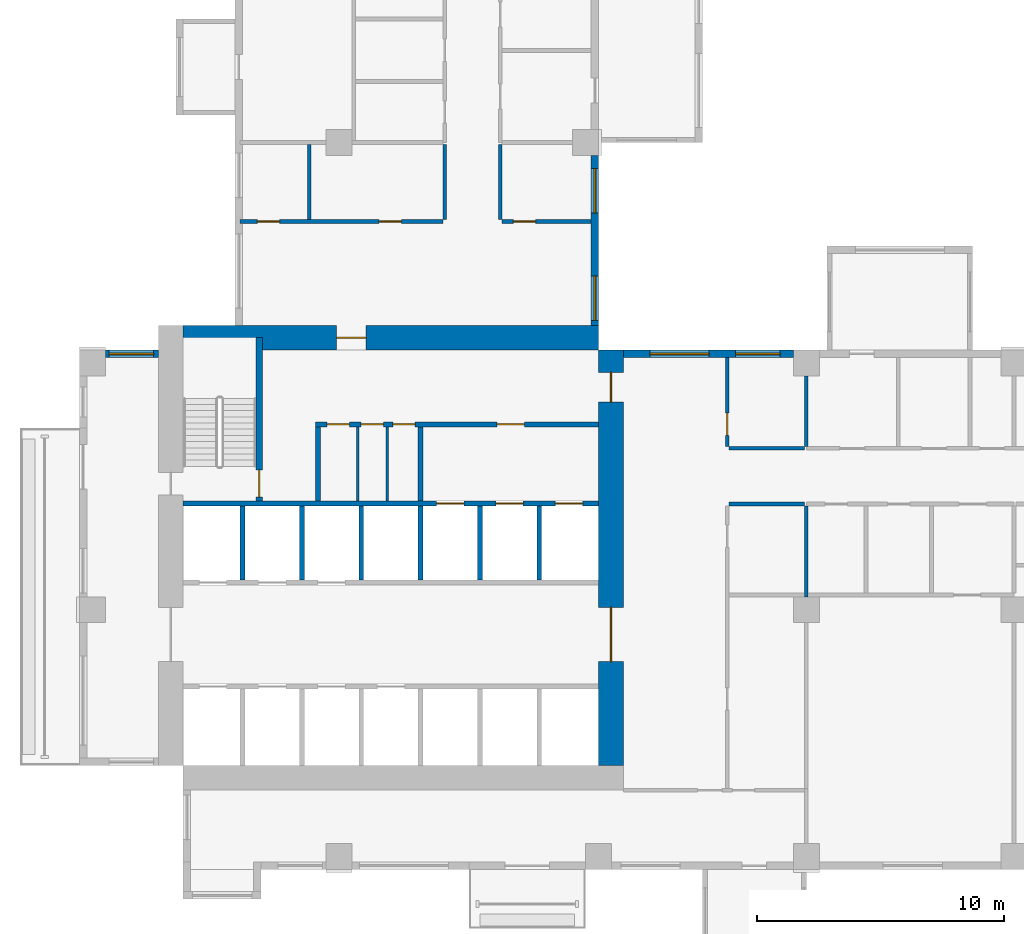
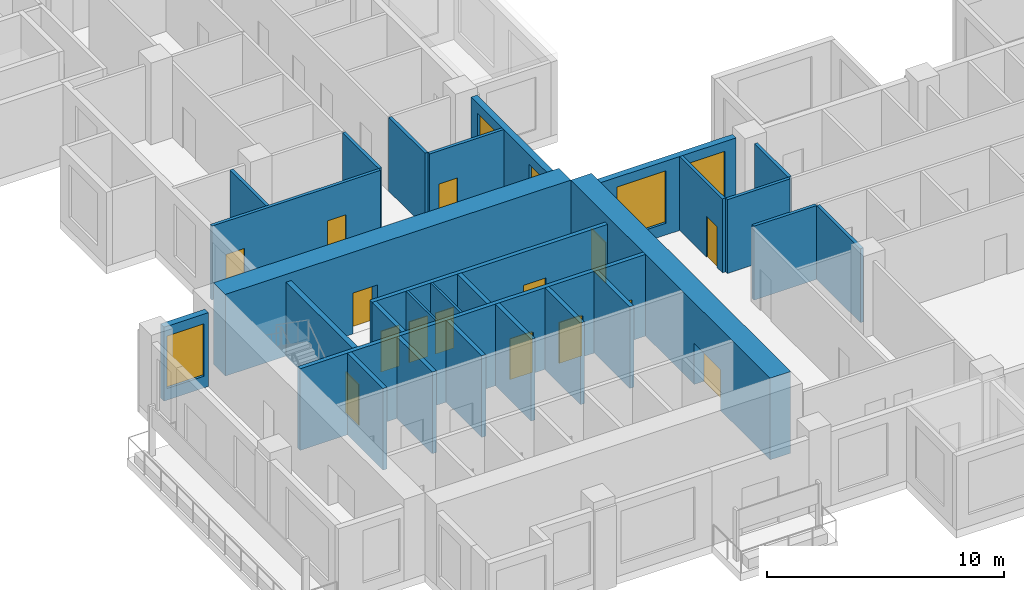
# One storey, part 3 of 15: 28 walls, 15 doors, 5 windows, 20 openings.
"""IFC4 building model written with IfcOpenShell, lengths in metres."""

from ifc_helpers import new_model, si_unit, direction, frame, frame_2d, origin, place, context, subcontext, project, spatial, rectangle, extrude, source, transform, mapped, material, layer, layer_set, type_object, element, fill, save


model = new_model("IFC4")

# Units and contexts
model_context = context("Model", 3, precision=1e-05, world=origin(), true_north=direction((0.0, 1.0)))
body_context = subcontext(model_context, "Body", "Model", "MODEL_VIEW")
ifc_project = project(units=[si_unit("LENGTHUNIT", "METRE"), si_unit("AREAUNIT", "SQUARE_METRE"), si_unit("VOLUMEUNIT", "CUBIC_METRE"), si_unit("PLANEANGLEUNIT", "RADIAN"), si_unit("MASSUNIT", "GRAM", prefix="KILO")], contexts=[model_context])

# Site, building, storey
site_placement = place(None, origin())
site = spatial("IfcSite", under=ifc_project, at=site_placement, CompositionType="ELEMENT")
building_placement = place(site_placement, origin())
building = spatial("IfcBuilding", under=site, at=building_placement, Name="Aurelian Terraces", CompositionType="ELEMENT")
storey_placement = place(building_placement, frame((0.0, 0.0, 137.1)))
storey = spatial("IfcBuildingStorey", under=building, at=storey_placement, Name="L30", CompositionType="ELEMENT", Elevation=137.1)

# Wall, openings, doors
ifc_material_1 = material(Name="Concrete fc' 83 MPa", Category="concrete")
ifc_layer_1 = layer(ifc_material_1, 1.0)
ifc_layer_set_1 = layer_set([ifc_layer_1], Name="CORE WALL 1000 FC83")
wall_type_1 = type_object("IfcWallType", Name="CORE WALL 1000 FC83", PredefinedType="SHEAR", material=ifc_layer_set_1)
shared_shape_1 = source(origin(), body_context, "Body", "SweptSolid", [
    extrude(rectangle(XDim=16.8, YDim=1.0, at=frame_2d((8.4, 0.0))), origin(), (0.0, 0.0, 1.0), 4.2),
])
wall_1_placement = place(storey_placement, frame((21.5, 4.2, 0.0), z_axis=(0.0, 0.0, 1.0), x_axis=(0.0, 1.0, 0.0)))
wall_1 = element("IfcWall", 1, at=wall_1_placement, inside=storey, type_object=wall_type_1, Name="Core wall E L30", PredefinedType="SHEAR", context=body_context, shape_type="MappedRepresentation", body=[
    mapped(shared_shape_1, transform((0.0, 0.0, 0.0), scale=1.0)),
])
shared_shape_2 = source(origin(), body_context, "Body", "SweptSolid", [
    extrude(rectangle(XDim=2.2, YDim=2.1, at=frame_2d((1.1, 1.05))), frame((0.0, 0.51, 0.0), z_axis=(0.0, -1.0, 0.0), x_axis=(1.0, 0.0, 0.0)), (0.0, 0.0, 1.0), 1.02),
])
opening_1_placement = place(wall_1_placement, frame((4.2, 0.0, 0.0)))
opening_1 = element("IfcOpeningElement", 2, at=opening_1_placement, cuts=wall_1, Name="Opening 63321", PredefinedType="OPENING", context=body_context, shape_type="MappedRepresentation", body=[
    mapped(shared_shape_2, transform((0.0, 0.0, 0.0), scale=1.0)),
])
shared_shape_3 = source(origin(), body_context, "Body", "SweptSolid", [
    extrude(rectangle(XDim=1.2, YDim=2.1, at=frame_2d((0.6, 1.05))), frame((0.0, 0.51, 0.0), z_axis=(0.0, -1.0, 0.0), x_axis=(1.0, 0.0, 0.0)), (0.0, 0.0, 1.0), 1.02),
])
opening_2_placement = place(wall_1_placement, frame((14.7, 0.0, 0.0)))
opening_2 = element("IfcOpeningElement", 3, at=opening_2_placement, cuts=wall_1, Name="Opening 63324", PredefinedType="OPENING", context=body_context, shape_type="MappedRepresentation", body=[
    mapped(shared_shape_3, transform((0.0, 0.0, 0.0), scale=1.0)),
])
ifc_material_2 = material(Name="Steel door leaf", Category="steel")
door_type_1 = type_object("IfcDoorType", Name="Core fire door 1200x2100", OperationType="SINGLE_SWING_LEFT", PredefinedType="DOOR", material=ifc_material_2)
shared_shape_4 = source(origin(), body_context, "Body", "SweptSolid", [
    extrude(rectangle(XDim=1.2, YDim=2.1, at=frame_2d((0.6, 1.05))), frame((0.0, 0.025, 0.0), z_axis=(0.0, -1.0, 0.0), x_axis=(1.0, 0.0, 0.0)), (0.0, 0.0, 1.0), 0.05),
])
door_1_placement = place(opening_2_placement, origin())
door_1 = element("IfcDoor", 4, at=door_1_placement, inside=storey, type_object=door_type_1, Name="Core door 63324", OperationType="SINGLE_SWING_LEFT", OverallHeight=2.1, OverallWidth=1.2, PredefinedType="DOOR", context=body_context, shape_type="MappedRepresentation", body=[
    mapped(shared_shape_4, transform((0.0, 0.0, 0.0), scale=1.0)),
])
fill(opening_2, door_1)
door_type_2 = type_object("IfcDoorType", Name="Core double door 2200x2100", OperationType="DOUBLE_DOOR_SINGLE_SWING", PredefinedType="DOOR", material=ifc_material_2)
shared_shape_5 = source(origin(), body_context, "Body", "SweptSolid", [
    extrude(rectangle(XDim=2.2, YDim=2.1, at=frame_2d((1.1, 1.05))), frame((0.0, 0.025, 0.0), z_axis=(0.0, -1.0, 0.0), x_axis=(1.0, 0.0, 0.0)), (0.0, 0.0, 1.0), 0.05),
])
door_2_placement = place(opening_1_placement, origin())
door_2 = element("IfcDoor", 5, at=door_2_placement, inside=storey, type_object=door_type_2, Name="Core door 63321", OperationType="DOUBLE_DOOR_SINGLE_SWING", OverallHeight=2.1, OverallWidth=2.2, PredefinedType="DOOR", context=body_context, shape_type="MappedRepresentation", body=[
    mapped(shared_shape_5, transform((0.0, 0.0, 0.0), scale=1.0)),
])
fill(opening_1, door_2)

# Wall, opening, door
wall_2_placement = place(storey_placement, frame((4.2, 21.5, 0.0), z_axis=(0.0, 0.0, 1.0), x_axis=(1.0, 0.0, 0.0)))
wall_2 = element("IfcWall", 6, at=wall_2_placement, inside=storey, type_object=wall_type_1, Name="Core wall N L30", PredefinedType="SHEAR", context=body_context, shape_type="MappedRepresentation", body=[
    mapped(shared_shape_1, transform((0.0, 0.0, 0.0), scale=1.0)),
])
opening_3_placement = place(wall_2_placement, frame((6.2, 0.0, 0.0)))
opening_3 = element("IfcOpeningElement", 7, at=opening_3_placement, cuts=wall_2, Name="Opening 63323", PredefinedType="OPENING", context=body_context, shape_type="MappedRepresentation", body=[
    mapped(shared_shape_3, transform((0.0, 0.0, 0.0), scale=1.0)),
])
door_type_3 = type_object("IfcDoorType", Name="Core fire door 1200x2100 right", OperationType="SINGLE_SWING_RIGHT", PredefinedType="DOOR", material=ifc_material_2)
door_3_placement = place(opening_3_placement, origin())
door_3 = element("IfcDoor", 8, at=door_3_placement, inside=storey, type_object=door_type_3, Name="Core door 63323", OperationType="SINGLE_SWING_RIGHT", OverallHeight=2.1, OverallWidth=1.2, PredefinedType="DOOR", context=body_context, shape_type="MappedRepresentation", body=[
    mapped(shared_shape_4, transform((0.0, 0.0, 0.0), scale=1.0)),
])
fill(opening_3, door_3)

# Wall, openings, windows
ifc_material_3 = material(Name="Terracotta rainscreen cladding", Category="masonry")
ifc_layer_2 = layer(ifc_material_3, 0.3)
ifc_layer_set_2 = layer_set([ifc_layer_2], Name="EW-300")
wall_type_2 = type_object("IfcWallType", Name="EW-300", PredefinedType="STANDARD", material=ifc_layer_set_2)
shared_shape_6 = source(origin(), body_context, "Body", "SweptSolid", [
    extrude(rectangle(XDim=6.875, YDim=0.3, at=frame_2d((3.4375, 0.0))), origin(), (0.0, 0.0, 1.0), 3.8),
])
wall_3_placement = place(storey_placement, frame((28.875, 20.85, 0.0), z_axis=(0.0, 0.0, 1.0), x_axis=(-1.0, 0.0, 0.0)))
wall_3 = element("IfcWall", 9, at=wall_3_placement, inside=storey, type_object=wall_type_2, Name="External wall L30 F07.20", PredefinedType="STANDARD", context=body_context, shape_type="MappedRepresentation", body=[
    mapped(shared_shape_6, transform((0.0, 0.0, 0.0), scale=1.0)),
])
shared_shape_7 = source(origin(), body_context, "Body", "SweptSolid", [
    extrude(rectangle(XDim=1.8, YDim=2.7, at=frame_2d((0.9, 1.35))), frame((0.0, 0.16, 0.0), z_axis=(0.0, -1.0, 0.0), x_axis=(1.0, 0.0, 0.0)), (0.0, 0.0, 1.0), 0.32),
])
opening_4_placement = place(wall_3_placement, frame((0.5375, 0.0, 0.6)))
opening_4 = element("IfcOpeningElement", 10, at=opening_4_placement, cuts=wall_3, Name="Opening W1827", PredefinedType="OPENING", context=body_context, shape_type="MappedRepresentation", body=[
    mapped(shared_shape_7, transform((0.0, 0.0, 0.0), scale=1.0)),
])
shared_shape_8 = source(origin(), body_context, "Body", "SweptSolid", [
    extrude(rectangle(XDim=2.4, YDim=2.7, at=frame_2d((1.2, 1.35))), frame((0.0, 0.16, 0.0), z_axis=(0.0, -1.0, 0.0), x_axis=(1.0, 0.0, 0.0)), (0.0, 0.0, 1.0), 0.32),
])
opening_5_placement = place(wall_3_placement, frame((3.4062, 0.0, 0.6)))
opening_5 = element("IfcOpeningElement", 11, at=opening_5_placement, cuts=wall_3, Name="Opening W2427", PredefinedType="OPENING", context=body_context, shape_type="MappedRepresentation", body=[
    mapped(shared_shape_8, transform((0.0, 0.0, 0.0), scale=1.0)),
])
ifc_material_4 = material(Name="Clear glazing", Category="glass")
window_type_1 = type_object("IfcWindowType", Name="W-2400x2700", PartitioningType="SINGLE_PANEL", PredefinedType="WINDOW", material=ifc_material_4)
shared_shape_9 = source(origin(), body_context, "Body", "SweptSolid", [
    extrude(rectangle(XDim=2.4, YDim=2.7, at=frame_2d((1.2, 1.35))), frame((0.0, 0.03, 0.0), z_axis=(0.0, -1.0, 0.0), x_axis=(1.0, 0.0, 0.0)), (0.0, 0.0, 1.0), 0.06),
])
window_1_placement = place(opening_5_placement, origin())
window_1 = element("IfcWindow", 12, at=window_1_placement, inside=storey, type_object=window_type_1, Name="Window L30 L30-F07-20-G2-197", OverallHeight=2.7, OverallWidth=2.4, PartitioningType="SINGLE_PANEL", PredefinedType="WINDOW", context=body_context, shape_type="MappedRepresentation", body=[
    mapped(shared_shape_9, transform((0.0, 0.0, 0.0), scale=1.0)),
])
fill(opening_5, window_1)
window_type_2 = type_object("IfcWindowType", Name="W-1800x2700", PartitioningType="SINGLE_PANEL", PredefinedType="WINDOW", material=ifc_material_4)
shared_shape_10 = source(origin(), body_context, "Body", "SweptSolid", [
    extrude(rectangle(XDim=1.8, YDim=2.7, at=frame_2d((0.9, 1.35))), frame((0.0, 0.03, 0.0), z_axis=(0.0, -1.0, 0.0), x_axis=(1.0, 0.0, 0.0)), (0.0, 0.0, 1.0), 0.06),
])
window_2_placement = place(opening_4_placement, origin())
window_2 = element("IfcWindow", 13, at=window_2_placement, inside=storey, type_object=window_type_2, Name="Window L30 L30-F07-20-3", OverallHeight=2.7, OverallWidth=1.8, PartitioningType="SINGLE_PANEL", PredefinedType="WINDOW", context=body_context, shape_type="MappedRepresentation", body=[
    mapped(shared_shape_10, transform((0.0, 0.0, 0.0), scale=1.0)),
])
fill(opening_4, window_2)

wall_4_placement = place(storey_placement, frame((20.85, 22.0, 0.0), z_axis=(0.0, 0.0, 1.0), x_axis=(0.0, 1.0, 0.0)))
wall_4 = element("IfcWall", 14, at=wall_4_placement, inside=storey, type_object=wall_type_2, Name="External wall L30 F08.21", PredefinedType="STANDARD", context=body_context, shape_type="MappedRepresentation", body=[
    mapped(shared_shape_6, transform((0.0, 0.0, 0.0), scale=1.0)),
])
opening_6_placement = place(wall_4_placement, frame((0.2, 0.0, 0.6)))
opening_6 = element("IfcOpeningElement", 15, at=opening_6_placement, cuts=wall_4, Name="Opening W1827", PredefinedType="OPENING", context=body_context, shape_type="MappedRepresentation", body=[
    mapped(shared_shape_7, transform((0.0, 0.0, 0.0), scale=1.0)),
])
opening_7_placement = place(wall_4_placement, frame((4.5375, 0.0, 0.6)))
opening_7 = element("IfcOpeningElement", 16, at=opening_7_placement, cuts=wall_4, Name="Opening W1827", PredefinedType="OPENING", context=body_context, shape_type="MappedRepresentation", body=[
    mapped(shared_shape_7, transform((0.0, 0.0, 0.0), scale=1.0)),
])
window_3_placement = place(opening_6_placement, origin())
window_3 = element("IfcWindow", 17, at=window_3_placement, inside=storey, type_object=window_type_2, Name="Window L30 L30-F08-21-0", OverallHeight=2.7, OverallWidth=1.8, PartitioningType="SINGLE_PANEL", PredefinedType="WINDOW", context=body_context, shape_type="MappedRepresentation", body=[
    mapped(shared_shape_10, transform((0.0, 0.0, 0.0), scale=1.0)),
])
fill(opening_6, window_3)
window_4_placement = place(opening_7_placement, origin())
window_4 = element("IfcWindow", 18, at=window_4_placement, inside=storey, type_object=window_type_2, Name="Window L30 L30-F08-21-1", OverallHeight=2.7, OverallWidth=1.8, PartitioningType="SINGLE_PANEL", PredefinedType="WINDOW", context=body_context, shape_type="MappedRepresentation", body=[
    mapped(shared_shape_10, transform((0.0, 0.0, 0.0), scale=1.0)),
])
fill(opening_7, window_4)

# Wall, opening, window
shared_shape_11 = source(origin(), body_context, "Body", "SweptSolid", [
    extrude(rectangle(XDim=2.15, YDim=0.3, at=frame_2d((1.075, 0.0))), origin(), (0.0, 0.0, 1.0), 3.8),
])
wall_5_placement = place(storey_placement, frame((3.2, 20.85, 0.0), z_axis=(0.0, 0.0, 1.0), x_axis=(-1.0, 0.0, 0.0)))
wall_5 = element("IfcWall", 19, at=wall_5_placement, inside=storey, type_object=wall_type_2, Name="External wall L30 F19.36", PredefinedType="STANDARD", context=body_context, shape_type="MappedRepresentation", body=[
    mapped(shared_shape_11, transform((0.0, 0.0, 0.0), scale=1.0)),
])
opening_8_placement = place(wall_5_placement, frame((0.2, 0.0, 0.6)))
opening_8 = element("IfcOpeningElement", 20, at=opening_8_placement, cuts=wall_5, Name="Opening W1827", PredefinedType="OPENING", context=body_context, shape_type="MappedRepresentation", body=[
    mapped(shared_shape_7, transform((0.0, 0.0, 0.0), scale=1.0)),
])
window_5_placement = place(opening_8_placement, origin())
window_5 = element("IfcWindow", 21, at=window_5_placement, inside=storey, type_object=window_type_2, Name="Window L30 L30-F19-36-0", OverallHeight=2.7, OverallWidth=1.8, PartitioningType="SINGLE_PANEL", PredefinedType="WINDOW", context=body_context, shape_type="MappedRepresentation", body=[
    mapped(shared_shape_10, transform((0.0, 0.0, 0.0), scale=1.0)),
])
fill(opening_8, window_5)

# Walls
ifc_material_5 = material(Name="Concrete fc' 40 MPa", Category="concrete")
ifc_layer_3 = layer(ifc_material_5, 0.2)
ifc_layer_set_3 = layer_set([ifc_layer_3], Name="Lift shaft wall 200")
wall_type_3 = type_object("IfcWallType", Name="Lift shaft wall 200", PredefinedType="SOLIDWALL", material=ifc_layer_set_3)
shared_shape_12 = source(origin(), body_context, "Body", "SweptSolid", [
    extrude(rectangle(XDim=3.0, YDim=0.2, at=frame_2d((1.5, 0.0))), origin(), (0.0, 0.0, 1.0), 4.2),
])
for number, where, z_axis, x_axis, name in (
    (22, (6.6, 11.7, 0.0), (0.0, 0.0, 1.0), (0.0, 1.0, 0.0), "L30 core wall CD-B1"),
    (23, (9.0, 11.7, 0.0), (0.0, 0.0, 1.0), (0.0, 1.0, 0.0), "L30 core wall CD-B2"),
    (24, (11.4, 11.7, 0.0), (0.0, 0.0, 1.0), (0.0, 1.0, 0.0), "L30 core wall CD-B3"),
    (25, (13.8, 11.7, 0.0), (0.0, 0.0, 1.0), (0.0, 1.0, 0.0), "L30 core wall CD-B4"),
    (26, (16.2, 11.7, 0.0), (0.0, 0.0, 1.0), (0.0, 1.0, 0.0), "L30 core wall CD-B5"),
    (27, (18.6, 11.7, 0.0), (0.0, 0.0, 1.0), (0.0, 1.0, 0.0), "L30 core wall CD-B6"),
):
    element("IfcWall", number, at=place(storey_placement, frame(where, z_axis=z_axis, x_axis=x_axis)), inside=storey, type_object=wall_type_3, Name=name, PredefinedType="SOLIDWALL", context=body_context, shape_type="MappedRepresentation", body=[
        mapped(shared_shape_12, transform((0.0, 0.0, 0.0), scale=1.0)),
    ])

# Wall, openings, doors
shared_shape_13 = source(origin(), body_context, "Body", "SweptSolid", [
    extrude(rectangle(XDim=16.8, YDim=0.2, at=frame_2d((8.4, 0.0))), origin(), (0.0, 0.0, 1.0), 4.2),
])
wall_6_placement = place(storey_placement, frame((4.2, 14.8, 0.0), z_axis=(0.0, 0.0, 1.0), x_axis=(1.0, 0.0, 0.0)))
wall_6 = element("IfcWall", 28, at=wall_6_placement, inside=storey, type_object=wall_type_3, Name="L30 core wall CF-BB1", PredefinedType="SOLIDWALL", context=body_context, shape_type="MappedRepresentation", body=[
    mapped(shared_shape_13, transform((0.0, 0.0, 0.0), scale=1.0)),
])
shared_shape_14 = source(origin(), body_context, "Body", "SweptSolid", [
    extrude(rectangle(XDim=1.1, YDim=2.1, at=frame_2d((0.55, 1.05))), frame((0.0, 0.11, 0.0), z_axis=(0.0, -1.0, 0.0), x_axis=(1.0, 0.0, 0.0)), (0.0, 0.0, 1.0), 0.22),
])
opening_9_placement = place(wall_6_placement, frame((10.25, 0.0, 0.0)))
opening_9 = element("IfcOpeningElement", 29, at=opening_9_placement, cuts=wall_6, Name="Opening 63307", PredefinedType="OPENING", context=body_context, shape_type="MappedRepresentation", body=[
    mapped(shared_shape_14, transform((0.0, 0.0, 0.0), scale=1.0)),
])
opening_10_placement = place(wall_6_placement, frame((12.65, 0.0, 0.0)))
opening_10 = element("IfcOpeningElement", 30, at=opening_10_placement, cuts=wall_6, Name="Opening 63308", PredefinedType="OPENING", context=body_context, shape_type="MappedRepresentation", body=[
    mapped(shared_shape_14, transform((0.0, 0.0, 0.0), scale=1.0)),
])
opening_11_placement = place(wall_6_placement, frame((15.05, 0.0, 0.0)))
opening_11 = element("IfcOpeningElement", 31, at=opening_11_placement, cuts=wall_6, Name="Opening 63309", PredefinedType="OPENING", context=body_context, shape_type="MappedRepresentation", body=[
    mapped(shared_shape_14, transform((0.0, 0.0, 0.0), scale=1.0)),
])
ifc_material_6 = material(Name="Stainless steel", Category="steel")
door_type_4 = type_object("IfcDoorType", Name="Lift landing door 1100x2100", OperationType="SLIDING_TO_LEFT", PredefinedType="DOOR", material=ifc_material_6)
shared_shape_15 = source(origin(), body_context, "Body", "SweptSolid", [
    extrude(rectangle(XDim=1.1, YDim=2.1, at=frame_2d((0.55, 1.05))), frame((0.0, 0.025, 0.0), z_axis=(0.0, -1.0, 0.0), x_axis=(1.0, 0.0, 0.0)), (0.0, 0.0, 1.0), 0.05),
])
door_4_placement = place(opening_9_placement, origin())
door_4 = element("IfcDoor", 32, at=door_4_placement, inside=storey, type_object=door_type_4, Name="Lift landing door F1 L30", OperationType="SLIDING_TO_LEFT", OverallHeight=2.1, OverallWidth=1.1, PredefinedType="DOOR", context=body_context, shape_type="MappedRepresentation", body=[
    mapped(shared_shape_15, transform((0.0, 0.0, 0.0), scale=1.0)),
])
fill(opening_9, door_4)
door_5_placement = place(opening_10_placement, origin())
door_5 = element("IfcDoor", 33, at=door_5_placement, inside=storey, type_object=door_type_4, Name="Lift landing door F2 L30", OperationType="SLIDING_TO_LEFT", OverallHeight=2.1, OverallWidth=1.1, PredefinedType="DOOR", context=body_context, shape_type="MappedRepresentation", body=[
    mapped(shared_shape_15, transform((0.0, 0.0, 0.0), scale=1.0)),
])
fill(opening_10, door_5)
door_6_placement = place(opening_11_placement, origin())
door_6 = element("IfcDoor", 34, at=door_6_placement, inside=storey, type_object=door_type_4, Name="Lift landing door F3 L30", OperationType="SLIDING_TO_LEFT", OverallHeight=2.1, OverallWidth=1.1, PredefinedType="DOOR", context=body_context, shape_type="MappedRepresentation", body=[
    mapped(shared_shape_15, transform((0.0, 0.0, 0.0), scale=1.0)),
])
fill(opening_11, door_6)

# Walls
ifc_material_7 = material(Name="Gypsum board on steel studs", Category="steel")
ifc_layer_4 = layer(ifc_material_7, 0.2)
ifc_layer_set_4 = layer_set([ifc_layer_4], Name="Core partition 200")
wall_type_4 = type_object("IfcWallType", Name="Core partition 200", PredefinedType="PARTITIONING", material=ifc_layer_set_4)
shared_shape_16 = source(origin(), body_context, "Body", "SweptSolid", [
    extrude(rectangle(XDim=3.0, YDim=0.2, at=frame_2d((1.5, 0.0))), origin(), (0.0, 0.0, 1.0), 3.8),
])
for number, where, z_axis, x_axis, name in (
    (35, (9.65, 14.9, 0.0), (0.0, 0.0, 1.0), (0.0, 1.0, 0.0), "L30 core wall CP-VEST"),
    (36, (13.8, 14.9, 0.0), (0.0, 0.0, 1.0), (0.0, 1.0, 0.0), "L30 core wall CP-FFL"),
):
    element("IfcWall", number, at=place(storey_placement, frame(where, z_axis=z_axis, x_axis=x_axis)), inside=storey, type_object=wall_type_4, Name=name, PredefinedType="PARTITIONING", context=body_context, shape_type="MappedRepresentation", body=[
        mapped(shared_shape_16, transform((0.0, 0.0, 0.0), scale=1.0)),
    ])
ifc_layer_5 = layer(ifc_material_7, 0.1)
ifc_layer_set_5 = layer_set([ifc_layer_5], Name="Core partition 100")
wall_type_5 = type_object("IfcWallType", Name="Core partition 100", PredefinedType="PARTITIONING", material=ifc_layer_set_5)
shared_shape_17 = source(origin(), body_context, "Body", "SweptSolid", [
    extrude(rectangle(XDim=3.0, YDim=0.1, at=frame_2d((1.5, 0.0))), origin(), (0.0, 0.0, 1.0), 3.8),
])
for number, where, z_axis, x_axis, name in (
    (37, (11.25, 14.9, 0.0), (0.0, 0.0, 1.0), (0.0, 1.0, 0.0), "L30 core wall CP-SV1"),
    (38, (12.45, 14.9, 0.0), (0.0, 0.0, 1.0), (0.0, 1.0, 0.0), "L30 core wall CP-SV2"),
):
    element("IfcWall", number, at=place(storey_placement, frame(where, z_axis=z_axis, x_axis=x_axis)), inside=storey, type_object=wall_type_5, Name=name, PredefinedType="PARTITIONING", context=body_context, shape_type="MappedRepresentation", body=[
        mapped(shared_shape_17, transform((0.0, 0.0, 0.0), scale=1.0)),
    ])

# Wall, opening, door
ifc_layer_6 = layer(ifc_material_5, 0.25)
ifc_layer_set_6 = layer_set([ifc_layer_6], Name="Stair enclosure wall 250")
wall_type_6 = type_object("IfcWallType", Name="Stair enclosure wall 250", PredefinedType="SOLIDWALL", material=ifc_layer_set_6)
shared_shape_18 = source(origin(), body_context, "Body", "SweptSolid", [
    extrude(rectangle(XDim=6.6, YDim=0.25, at=frame_2d((3.3, 0.0))), origin(), (0.0, 0.0, 1.0), 3.8),
])
wall_7_placement = place(storey_placement, frame((7.275, 14.9, 0.0), z_axis=(0.0, 0.0, 1.0), x_axis=(0.0, 1.0, 0.0)))
wall_7 = element("IfcWall", 39, at=wall_7_placement, inside=storey, type_object=wall_type_6, Name="L30 core wall ST-S1-E", PredefinedType="SOLIDWALL", context=body_context, shape_type="MappedRepresentation", body=[
    mapped(shared_shape_18, transform((0.0, 0.0, 0.0), scale=1.0)),
])
shared_shape_19 = source(origin(), body_context, "Body", "SweptSolid", [
    extrude(rectangle(XDim=1.1, YDim=2.1, at=frame_2d((0.55, 1.05))), frame((0.0, 0.135, 0.0), z_axis=(0.0, -1.0, 0.0), x_axis=(1.0, 0.0, 0.0)), (0.0, 0.0, 1.0), 0.27),
])
opening_12_placement = place(wall_7_placement, frame((0.15, 0.0, 0.0)))
opening_12 = element("IfcOpeningElement", 40, at=opening_12_placement, cuts=wall_7, Name="Opening 63310", PredefinedType="OPENING", context=body_context, shape_type="MappedRepresentation", body=[
    mapped(shared_shape_19, transform((0.0, 0.0, 0.0), scale=1.0)),
])
door_type_5 = type_object("IfcDoorType", Name="Core fire door 1100x2100 right", OperationType="SINGLE_SWING_RIGHT", PredefinedType="DOOR", material=ifc_material_2)
door_7_placement = place(opening_12_placement, origin())
door_7 = element("IfcDoor", 41, at=door_7_placement, inside=storey, type_object=door_type_5, Name="Stair door 63310", OperationType="SINGLE_SWING_RIGHT", OverallHeight=2.1, OverallWidth=1.1, PredefinedType="DOOR", context=body_context, shape_type="MappedRepresentation", body=[
    mapped(shared_shape_15, transform((0.0, 0.0, 0.0), scale=1.0)),
])
fill(opening_12, door_7)

# Wall, openings, doors
shared_shape_20 = source(origin(), body_context, "Body", "SweptSolid", [
    extrude(rectangle(XDim=11.45, YDim=0.2, at=frame_2d((5.725, 0.0))), origin(), (0.0, 0.0, 1.0), 3.8),
])
wall_8_placement = place(storey_placement, frame((9.55, 18.0, 0.0), z_axis=(0.0, 0.0, 1.0), x_axis=(1.0, 0.0, 0.0)))
wall_8 = element("IfcWall", 42, at=wall_8_placement, inside=storey, type_object=wall_type_4, Name="L30 core wall CP-NORTH", PredefinedType="PARTITIONING", context=body_context, shape_type="MappedRepresentation", body=[
    mapped(shared_shape_20, transform((0.0, 0.0, 0.0), scale=1.0)),
])
shared_shape_21 = source(origin(), body_context, "Body", "SweptSolid", [
    extrude(rectangle(XDim=0.9, YDim=2.1, at=frame_2d((0.45, 1.05))), frame((0.0, 0.11, 0.0), z_axis=(0.0, -1.0, 0.0), x_axis=(1.0, 0.0, 0.0)), (0.0, 0.0, 1.0), 0.22),
])
opening_13_placement = place(wall_8_placement, frame((0.475, 0.0, 0.0)))
opening_13 = element("IfcOpeningElement", 43, at=opening_13_placement, cuts=wall_8, Name="Opening 63311", PredefinedType="OPENING", context=body_context, shape_type="MappedRepresentation", body=[
    mapped(shared_shape_21, transform((0.0, 0.0, 0.0), scale=1.0)),
])
opening_14_placement = place(wall_8_placement, frame((1.85, 0.0, 0.0)))
opening_14 = element("IfcOpeningElement", 44, at=opening_14_placement, cuts=wall_8, Name="Opening 63312", PredefinedType="OPENING", context=body_context, shape_type="MappedRepresentation", body=[
    mapped(shared_shape_21, transform((0.0, 0.0, 0.0), scale=1.0)),
])
opening_15_placement = place(wall_8_placement, frame((3.125, 0.0, 0.0)))
opening_15 = element("IfcOpeningElement", 45, at=opening_15_placement, cuts=wall_8, Name="Opening 63313", PredefinedType="OPENING", context=body_context, shape_type="MappedRepresentation", body=[
    mapped(shared_shape_21, transform((0.0, 0.0, 0.0), scale=1.0)),
])
opening_16_placement = place(wall_8_placement, frame((7.35, 0.0, 0.0)))
opening_16 = element("IfcOpeningElement", 46, at=opening_16_placement, cuts=wall_8, Name="Opening 63314", PredefinedType="OPENING", context=body_context, shape_type="MappedRepresentation", body=[
    mapped(shared_shape_14, transform((0.0, 0.0, 0.0), scale=1.0)),
])
door_type_6 = type_object("IfcDoorType", Name="Core service door 900x2100", OperationType="SINGLE_SWING_LEFT", PredefinedType="DOOR", material=ifc_material_2)
shared_shape_22 = source(origin(), body_context, "Body", "SweptSolid", [
    extrude(rectangle(XDim=0.9, YDim=2.1, at=frame_2d((0.45, 1.05))), frame((0.0, 0.025, 0.0), z_axis=(0.0, -1.0, 0.0), x_axis=(1.0, 0.0, 0.0)), (0.0, 0.0, 1.0), 0.05),
])
door_8_placement = place(opening_13_placement, origin())
door_8 = element("IfcDoor", 47, at=door_8_placement, inside=storey, type_object=door_type_6, Name="Room door 63311", OperationType="SINGLE_SWING_LEFT", OverallHeight=2.1, OverallWidth=0.9, PredefinedType="DOOR", context=body_context, shape_type="MappedRepresentation", body=[
    mapped(shared_shape_22, transform((0.0, 0.0, 0.0), scale=1.0)),
])
fill(opening_13, door_8)
door_type_7 = type_object("IfcDoorType", Name="Core riser door 900x2100 right", OperationType="SINGLE_SWING_RIGHT", PredefinedType="DOOR", material=ifc_material_2)
door_9_placement = place(opening_14_placement, origin())
door_9 = element("IfcDoor", 48, at=door_9_placement, inside=storey, type_object=door_type_7, Name="Room door 63312", OperationType="SINGLE_SWING_RIGHT", OverallHeight=2.1, OverallWidth=0.9, PredefinedType="DOOR", context=body_context, shape_type="MappedRepresentation", body=[
    mapped(shared_shape_22, transform((0.0, 0.0, 0.0), scale=1.0)),
])
fill(opening_14, door_9)
door_10_placement = place(opening_15_placement, origin())
door_10 = element("IfcDoor", 49, at=door_10_placement, inside=storey, type_object=door_type_6, Name="Room door 63313", OperationType="SINGLE_SWING_LEFT", OverallHeight=2.1, OverallWidth=0.9, PredefinedType="DOOR", context=body_context, shape_type="MappedRepresentation", body=[
    mapped(shared_shape_22, transform((0.0, 0.0, 0.0), scale=1.0)),
])
fill(opening_15, door_10)
door_11_placement = place(opening_16_placement, origin())
door_11 = element("IfcDoor", 50, at=door_11_placement, inside=storey, type_object=door_type_5, Name="Ff lobby door 63314", OperationType="SINGLE_SWING_RIGHT", OverallHeight=2.1, OverallWidth=1.1, PredefinedType="DOOR", context=body_context, shape_type="MappedRepresentation", body=[
    mapped(shared_shape_15, transform((0.0, 0.0, 0.0), scale=1.0)),
])
fill(opening_16, door_11)

# Wall, opening, door
ifc_layer_7 = layer(ifc_material_7, 0.15)
ifc_layer_set_7 = layer_set([ifc_layer_7], Name="Partition 150")
wall_type_7 = type_object("IfcWallType", Name="Partition 150", PredefinedType="PARTITIONING", material=ifc_layer_set_7)
shared_shape_23 = source(origin(), body_context, "Body", "SweptSolid", [
    extrude(rectangle(XDim=3.6, YDim=0.15, at=frame_2d((1.8, 0.0))), origin(), (0.0, 0.0, 1.0), 3.8),
])
wall_9_placement = place(storey_placement, frame((26.2, 20.7, 0.0), z_axis=(0.0, 0.0, 1.0), x_axis=(0.0, -1.0, 0.0)))
wall_9 = element("IfcWall", 51, at=wall_9_placement, inside=storey, type_object=wall_type_7, Name="Partition", PredefinedType="PARTITIONING", context=body_context, shape_type="MappedRepresentation", body=[
    mapped(shared_shape_23, transform((0.0, 0.0, 0.0), scale=1.0)),
])
shared_shape_24 = source(origin(), body_context, "Body", "SweptSolid", [
    extrude(rectangle(XDim=0.9, YDim=2.1, at=frame_2d((0.45, 1.05))), frame((0.0, 0.085, 0.0), z_axis=(0.0, -1.0, 0.0), x_axis=(1.0, 0.0, 0.0)), (0.0, 0.0, 1.0), 0.17),
])
opening_17_placement = place(wall_9_placement, frame((2.25, 0.0, 0.0)))
opening_17 = element("IfcOpeningElement", 52, at=opening_17_placement, cuts=wall_9, Name="Opening 730003", PredefinedType="OPENING", context=body_context, shape_type="MappedRepresentation", body=[
    mapped(shared_shape_24, transform((0.0, 0.0, 0.0), scale=1.0)),
])
ifc_material_8 = material(Name="Timber door leaf", Category="wood")
door_type_8 = type_object("IfcDoorType", Name="Room door 900x2100 left", OperationType="SINGLE_SWING_LEFT", PredefinedType="DOOR", material=ifc_material_8)
door_12_placement = place(opening_17_placement, origin())
door_12 = element("IfcDoor", 53, at=door_12_placement, inside=storey, type_object=door_type_8, Name="Door 730003", OperationType="SINGLE_SWING_LEFT", OverallHeight=2.1, OverallWidth=0.9, PredefinedType="DOOR", context=body_context, shape_type="MappedRepresentation", body=[
    mapped(shared_shape_22, transform((0.0, 0.0, 0.0), scale=1.0)),
])
fill(opening_17, door_12)

wall_10_placement = place(storey_placement, frame((17.1, 26.2, 0.0), z_axis=(0.0, 0.0, 1.0), x_axis=(1.0, 0.0, 0.0)))
wall_10 = element("IfcWall", 54, at=wall_10_placement, inside=storey, type_object=wall_type_7, Name="Partition", PredefinedType="PARTITIONING", context=body_context, shape_type="MappedRepresentation", body=[
    mapped(shared_shape_23, transform((0.0, 0.0, 0.0), scale=1.0)),
])
opening_18_placement = place(wall_10_placement, frame((0.45, 0.0, 0.0)))
opening_18 = element("IfcOpeningElement", 55, at=opening_18_placement, cuts=wall_10, Name="Opening 730034", PredefinedType="OPENING", context=body_context, shape_type="MappedRepresentation", body=[
    mapped(shared_shape_24, transform((0.0, 0.0, 0.0), scale=1.0)),
])
door_13_placement = place(opening_18_placement, origin())
door_13 = element("IfcDoor", 56, at=door_13_placement, inside=storey, type_object=door_type_8, Name="Door 730034", OperationType="SINGLE_SWING_LEFT", OverallHeight=2.1, OverallWidth=0.9, PredefinedType="DOOR", context=body_context, shape_type="MappedRepresentation", body=[
    mapped(shared_shape_22, transform((0.0, 0.0, 0.0), scale=1.0)),
])
fill(opening_18, door_13)

# Walls
shared_shape_25 = source(origin(), body_context, "Body", "SweptSolid", [
    extrude(rectangle(XDim=2.851, YDim=0.15, at=frame_2d((1.4255, 0.0))), origin(), (0.0, 0.0, 1.0), 3.8),
])
wall_11_placement = place(storey_placement, frame((29.4, 17.1, 0.0), z_axis=(0.0, 0.0, 1.0), x_axis=(0.0, 1.0, 0.0)))
element("IfcWall", 57, at=wall_11_placement, inside=storey, type_object=wall_type_7, Name="Partition", PredefinedType="PARTITIONING", context=body_context, shape_type="MappedRepresentation", body=[
    mapped(shared_shape_25, transform((0.0, 0.0, 0.0), scale=1.0)),
])
shared_shape_26 = source(origin(), body_context, "Body", "SweptSolid", [
    extrude(rectangle(XDim=3.676, YDim=0.15, at=frame_2d((1.838, 0.0))), origin(), (0.0, 0.0, 1.0), 3.8),
])
wall_12_placement = place(storey_placement, frame((29.4, 11.024, 0.0), z_axis=(0.0, 0.0, 1.0), x_axis=(0.0, 1.0, 0.0)))
element("IfcWall", 58, at=wall_12_placement, inside=storey, type_object=wall_type_7, Name="Partition", PredefinedType="PARTITIONING", context=body_context, shape_type="MappedRepresentation", body=[
    mapped(shared_shape_26, transform((0.0, 0.0, 0.0), scale=1.0)),
])

# Wall, openings, doors
shared_shape_27 = source(origin(), body_context, "Body", "SweptSolid", [
    extrude(rectangle(XDim=8.195, YDim=0.15, at=frame_2d((4.0975, 0.0))), origin(), (0.0, 0.0, 1.0), 3.8),
])
wall_13_placement = place(storey_placement, frame((6.505, 26.2, 0.0), z_axis=(0.0, 0.0, 1.0), x_axis=(1.0, 0.0, 0.0)))
wall_13 = element("IfcWall", 59, at=wall_13_placement, inside=storey, type_object=wall_type_7, Name="Partition", PredefinedType="PARTITIONING", context=body_context, shape_type="MappedRepresentation", body=[
    mapped(shared_shape_27, transform((0.0, 0.0, 0.0), scale=1.0)),
])
opening_19_placement = place(wall_13_placement, frame((0.695, 0.0, 0.0)))
opening_19 = element("IfcOpeningElement", 60, at=opening_19_placement, cuts=wall_13, Name="Opening 730032", PredefinedType="OPENING", context=body_context, shape_type="MappedRepresentation", body=[
    mapped(shared_shape_24, transform((0.0, 0.0, 0.0), scale=1.0)),
])
opening_20_placement = place(wall_13_placement, frame((5.62, 0.0, 0.0)))
opening_20 = element("IfcOpeningElement", 61, at=opening_20_placement, cuts=wall_13, Name="Opening 730033", PredefinedType="OPENING", context=body_context, shape_type="MappedRepresentation", body=[
    mapped(shared_shape_24, transform((0.0, 0.0, 0.0), scale=1.0)),
])
door_14_placement = place(opening_19_placement, origin())
door_14 = element("IfcDoor", 62, at=door_14_placement, inside=storey, type_object=door_type_8, Name="Door 730032", OperationType="SINGLE_SWING_LEFT", OverallHeight=2.1, OverallWidth=0.9, PredefinedType="DOOR", context=body_context, shape_type="MappedRepresentation", body=[
    mapped(shared_shape_22, transform((0.0, 0.0, 0.0), scale=1.0)),
])
fill(opening_19, door_14)
door_type_9 = type_object("IfcDoorType", Name="Room door 900x2100 right", OperationType="SINGLE_SWING_RIGHT", PredefinedType="DOOR", material=ifc_material_8)
door_15_placement = place(opening_20_placement, origin())
door_15 = element("IfcDoor", 63, at=door_15_placement, inside=storey, type_object=door_type_9, Name="Door 730033", OperationType="SINGLE_SWING_RIGHT", OverallHeight=2.1, OverallWidth=0.9, PredefinedType="DOOR", context=body_context, shape_type="MappedRepresentation", body=[
    mapped(shared_shape_22, transform((0.0, 0.0, 0.0), scale=1.0)),
])
fill(opening_20, door_15)

# Walls
ifc_layer_8 = layer(ifc_material_7, 0.15)
ifc_layer_set_8 = layer_set([ifc_layer_8], Name="Fire partition 150")
wall_type_8 = type_object("IfcWallType", Name="Fire partition 150", PredefinedType="PARTITIONING", material=ifc_layer_set_8)
shared_shape_28 = source(origin(), body_context, "Body", "SweptSolid", [
    extrude(rectangle(XDim=3.05, YDim=0.15, at=frame_2d((1.525, 0.0))), origin(), (0.0, 0.0, 1.0), 3.8),
])
for number, where, z_axis, x_axis, name in (
    (64, (29.325, 14.775, 0.0), (0.0, 0.0, 1.0), (-1.0, 0.0, 0.0), "Corridor wall"),
    (65, (26.275, 17.025, 0.0), (0.0, 0.0, 1.0), (1.0, 0.0, 0.0), "Corridor wall"),
):
    element("IfcWall", number, at=place(storey_placement, frame(where, z_axis=z_axis, x_axis=x_axis)), inside=storey, type_object=wall_type_8, Name=name, PredefinedType="PARTITIONING", context=body_context, shape_type="MappedRepresentation", body=[
        mapped(shared_shape_28, transform((0.0, 0.0, 0.0), scale=1.0)),
    ])
wall_14_placement = place(storey_placement, frame((9.3, 26.275, 0.0), z_axis=(0.0, 0.0, 1.0), x_axis=(0.0, 1.0, 0.0)))
element("IfcWall", 66, at=wall_14_placement, inside=storey, type_object=wall_type_7, Name="Partition", PredefinedType="PARTITIONING", context=body_context, shape_type="MappedRepresentation", body=[
    mapped(shared_shape_28, transform((0.0, 0.0, 0.0), scale=1.0)),
])
for number, where, z_axis, x_axis, name in (
    (67, (14.775, 26.275, 0.0), (0.0, 0.0, 1.0), (0.0, 1.0, 0.0), "Corridor wall"),
    (68, (17.025, 29.325, 0.0), (0.0, 0.0, 1.0), (0.0, -1.0, 0.0), "Corridor wall"),
):
    element("IfcWall", number, at=place(storey_placement, frame(where, z_axis=z_axis, x_axis=x_axis)), inside=storey, type_object=wall_type_8, Name=name, PredefinedType="PARTITIONING", context=body_context, shape_type="MappedRepresentation", body=[
        mapped(shared_shape_28, transform((0.0, 0.0, 0.0), scale=1.0)),
    ])

save(model, "model.ifc")
